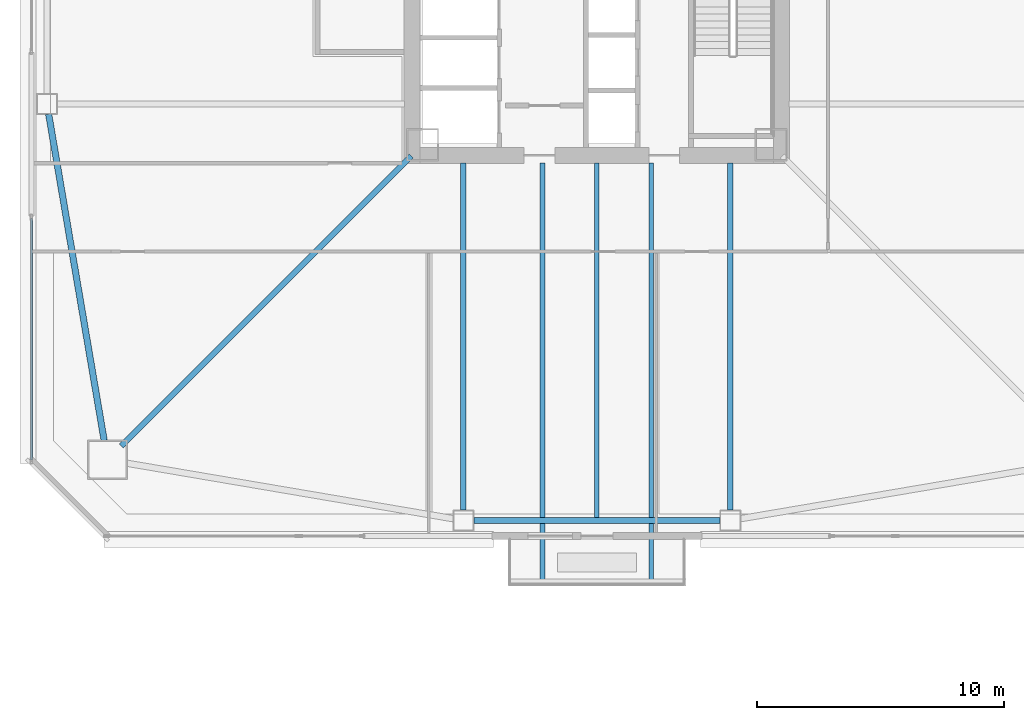
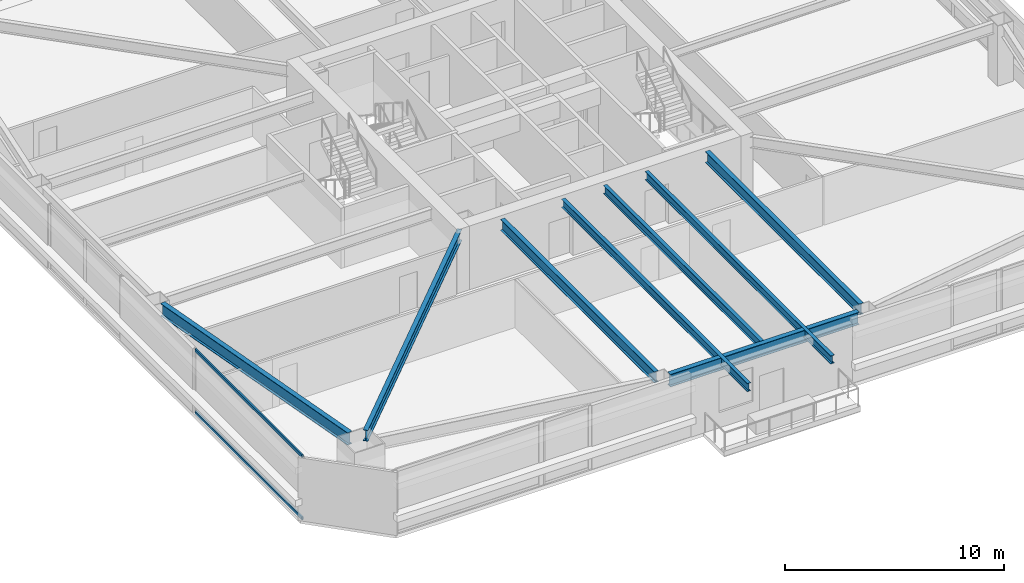
# One storey, part 4 of 45: 8 beams, 2 members, 1 element without a shape of its own.
"""IFC4 building model written with IfcOpenShell, lengths in metres."""

from ifc_helpers import new_model, si_unit, direction, frame, origin, origin_2d, place, context, subcontext, project, spatial, hollow_rectangle, i_section, extrude, material, material_profile, profile_set, type_object, element, aggregate, save


model = new_model("IFC4")

# Units and contexts
model_context = context("Model", 3, precision=1e-05, world=origin(), true_north=direction((0.0, 1.0)))
body_context = subcontext(model_context, "Body", "Model", "MODEL_VIEW")
ifc_project = project(units=[si_unit("LENGTHUNIT", "METRE"), si_unit("AREAUNIT", "SQUARE_METRE"), si_unit("VOLUMEUNIT", "CUBIC_METRE"), si_unit("PLANEANGLEUNIT", "RADIAN"), si_unit("MASSUNIT", "GRAM", prefix="KILO")], contexts=[model_context])

# Site, building, storey
site_placement = place(None, origin())
site = spatial("IfcSite", under=ifc_project, at=site_placement, CompositionType="ELEMENT")
building_placement = place(site_placement, origin())
building = spatial("IfcBuilding", under=site, at=building_placement, Name="Tashvorn Skyway Center", CompositionType="ELEMENT")
storey_placement = place(building_placement, frame((0.0, 0.0, 35.25)))
storey = spatial("IfcBuildingStorey", under=building, at=storey_placement, Name="L08", CompositionType="ELEMENT", Elevation=35.25)

# Beams
ifc_material_1 = material(Name="Steel ASTM A992 Grade 50", Category="steel")
ifc_material_profile_1 = material_profile(ifc_material_1, i_section(OverallWidth=0.22998046875, OverallDepth=0.616943359375, WebThickness=0.01318359375, FlangeThickness=0.022216796875, at=origin_2d()), Name="W24X94")
ifc_profile_set_1 = profile_set([ifc_material_profile_1], Name="Steel ASTM A992 Grade 50")
beam_type_1 = type_object("IfcBeamType", Name="BM-BEAM-W24X94", PredefinedType="BEAM", material=ifc_profile_set_1)
beam_1_placement = place(storey_placement, frame((22.76220703125, 12.76220703125, 3.04150390625), z_axis=(0.707106781187, 0.707106781187, 0.0), x_axis=(-0.707106781187, 0.707106781187, 0.0)))
element("IfcBeam", 1, at=beam_1_placement, inside=storey, type_object=beam_type_1, Name="Tower 1 L08 Primary Floor Girder MC-SW", PredefinedType="BEAM", context=body_context, shape_type="SweptSolid", body=[
    extrude(i_section(OverallWidth=0.22998046875, OverallDepth=0.616943359375, WebThickness=0.01318359375, FlangeThickness=0.022216796875, at=origin_2d()), origin(), (0.0, 0.0, 1.0), 16.591064453125),
])
for number, where, z_axis, x_axis, name in (
    (2, (36.60009765625, 10.169921875, 3.04150390625), (0.0, 1.0, 0.0), (-1.0, 0.0, 0.0), "Tower 1 L08 Primary Floor Girder FC-S1"),
    (3, (47.39990234375, 10.169921875, 3.04150390625), (0.0, 1.0, 0.0), (-1.0, 0.0, 0.0), "Tower 1 L08 Primary Floor Girder FC-S2"),
):
    element("IfcBeam", number, at=place(storey_placement, frame(where, z_axis=z_axis, x_axis=x_axis)), inside=storey, type_object=beam_type_1, Name=name, PredefinedType="BEAM", context=body_context, shape_type="SweptSolid", body=[
        extrude(i_section(OverallWidth=0.22998046875, OverallDepth=0.616943359375, WebThickness=0.01318359375, FlangeThickness=0.022216796875, at=origin_2d()), origin(), (0.0, 0.0, 1.0), 14.050048828125),
    ])
ifc_material_profile_2 = material_profile(ifc_material_1, i_section(OverallWidth=0.19091796875, OverallDepth=0.4599609375, WebThickness=0.010009765625, FlangeThickness=0.01611328125, at=origin_2d()), Name="W18X55")
ifc_profile_set_2 = profile_set([ifc_material_profile_2], Name="Steel ASTM A992 Grade 50")
beam_type_2 = type_object("IfcBeamType", Name="BM-JOIST-W18X55", PredefinedType="JOIST", material=ifc_profile_set_2)
beam_2_placement = place(storey_placement, frame((42.0, 24.2099609375, 3.1201171875), z_axis=(0.0, -1.0, 0.0), x_axis=(1.0, 0.0, 0.0)))
element("IfcBeam", 4, at=beam_2_placement, inside=storey, type_object=beam_type_2, Name="Tower 1 L08 Secondary Composite Joist JS", PredefinedType="JOIST", context=body_context, shape_type="SweptSolid", body=[
    extrude(i_section(OverallWidth=0.19091796875, OverallDepth=0.4599609375, WebThickness=0.010009765625, FlangeThickness=0.01611328125, at=origin_2d()), origin(), (0.0, 0.0, 1.0), 14.33984375),
])
for number, where, z_axis, x_axis, name in (
    (5, (39.800048828125, 24.219970703125, 3.1201171875), (0.0, -1.0, 0.0), (1.0, 0.0, 0.0), "Tower 1 L09 Terrace Cantilever Outlooker 1"),
    (6, (44.199951171875, 24.219970703125, 3.1201171875), (0.0, -1.0, 0.0), (1.0, 0.0, 0.0), "Tower 1 L09 Terrace Cantilever Outlooker 2"),
):
    element("IfcBeam", number, at=place(storey_placement, frame(where, z_axis=z_axis, x_axis=x_axis)), inside=storey, type_object=beam_type_2, Name=name, PredefinedType="JOIST", context=body_context, shape_type="SweptSolid", body=[
        extrude(i_section(OverallWidth=0.19091796875, OverallDepth=0.4599609375, WebThickness=0.010009765625, FlangeThickness=0.01611328125, at=origin_2d()), origin(), (0.0, 0.0, 1.0), 16.969970703125),
    ])
ifc_material_profile_3 = material_profile(ifc_material_1, i_section(OverallWidth=0.256103515625, OverallDepth=0.693115234375, WebThickness=0.014404296875, FlangeThickness=0.023681640625, at=origin_2d()), Name="W27X114")
ifc_profile_set_3 = profile_set([ifc_material_profile_3], Name="Steel ASTM A992 Grade 50")
beam_type_3 = type_object("IfcBeamType", Name="BM-SPANDREL-W27X114", PredefinedType="SPANDREL", material=ifc_profile_set_3)
beam_3_placement = place(storey_placement, frame((37.02001953125, 9.75, 3.00341796875), z_axis=(1.0, 0.0, 0.0), x_axis=(0.0, 1.0, 0.0)))
element("IfcBeam", 7, at=beam_3_placement, inside=storey, type_object=beam_type_3, Name="Tower 1 L08 Spandrel Beam 02", PredefinedType="SPANDREL", context=body_context, shape_type="SweptSolid", body=[
    extrude(i_section(OverallWidth=0.256103515625, OverallDepth=0.693115234375, WebThickness=0.014404296875, FlangeThickness=0.023681640625, at=origin_2d()), origin(), (0.0, 0.0, 1.0), 9.9599609375),
])
beam_4_placement = place(storey_placement, frame((19.820556640625, 26.18603515625, 3.00341796875), z_axis=(0.16771792509, -0.985835025551, 0.0), x_axis=(0.985835025551, 0.16771792509, 0.0)))
element("IfcBeam", 8, at=beam_4_placement, inside=storey, type_object=beam_type_3, Name="Tower 1 L08 Spandrel Beam 12", PredefinedType="SPANDREL", context=body_context, shape_type="SweptSolid", body=[
    extrude(i_section(OverallWidth=0.256103515625, OverallDepth=0.693115234375, WebThickness=0.014404296875, FlangeThickness=0.023681640625, at=origin_2d()), origin(), (0.0, 0.0, 1.0), 13.39208984375),
])

# Curtain wall, members
ifc_material_2 = material(Name="Thermally broken bronze-anodized aluminium 6063-T6", Category="aluminium")
curtain_wall_type = type_object("IfcCurtainWallType", Name="CW-CW-Z1", PredefinedType="NOTDEFINED", material=ifc_material_2)
curtain_wall_placement = place(storey_placement, origin())
curtain_wall = element("IfcCurtainWall", 9, at=curtain_wall_placement, inside=storey, type_object=curtain_wall_type, Name="Tower 1 L08 West Unitised Curtain Wall Glazing Group 1", PredefinedType="NOTDEFINED")
ifc_material_profile_4 = material_profile(ifc_material_2, hollow_rectangle(XDim=0.0849609375, YDim=0.1650390625, WallThickness=0.0048828125, at=origin_2d()), Name="ALU-TRAN-85x165")
ifc_profile_set_4 = profile_set([ifc_material_profile_4], Name="Thermally broken bronze-anodized aluminium 6063-T6")
member_type = type_object("IfcMemberType", Name="CWT-CW-Z1", PredefinedType="USERDEFINED", material=ifc_profile_set_4)
member_1_placement = place(storey_placement, frame((19.1201171875, 12.205078125, 0.04248046875), z_axis=(0.0, 1.0, 0.0), x_axis=(-1.0, 0.0, 0.0)))
member_1 = element("IfcMember", 10, at=member_1_placement, type_object=member_type, Name="CW-Z1 transom 1.1", ObjectType="TRANSOM", PredefinedType="USERDEFINED", context=body_context, shape_type="SweptSolid", body=[
    extrude(hollow_rectangle(XDim=0.0849609375, YDim=0.1650390625, WallThickness=0.0048828125, at=origin_2d()), origin(), (0.0, 0.0, 1.0), 9.77001953125),
])
member_2_placement = place(storey_placement, frame((19.1201171875, 12.205078125, 3.507568359375), z_axis=(0.0, 1.0, 0.0), x_axis=(-1.0, 0.0, 0.0)))
member_2 = element("IfcMember", 11, at=member_2_placement, type_object=member_type, Name="CW-Z1 transom 1.2", ObjectType="TRANSOM", PredefinedType="USERDEFINED", context=body_context, shape_type="SweptSolid", body=[
    extrude(hollow_rectangle(XDim=0.0849609375, YDim=0.1650390625, WallThickness=0.0048828125, at=origin_2d()), origin(), (0.0, 0.0, 1.0), 9.77001953125),
])
aggregate(curtain_wall, [member_1, member_2])

save(model, "model.ifc")
